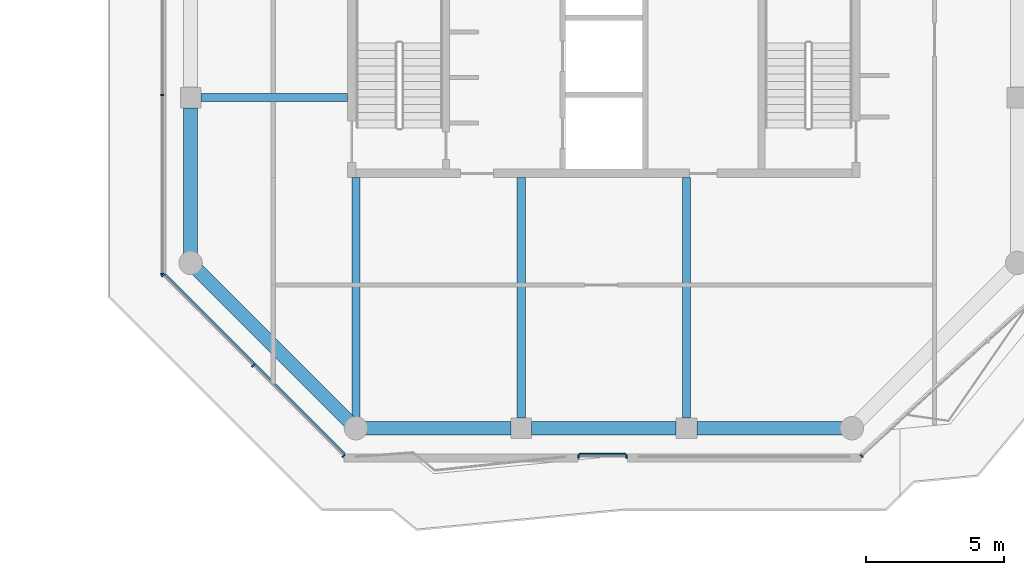
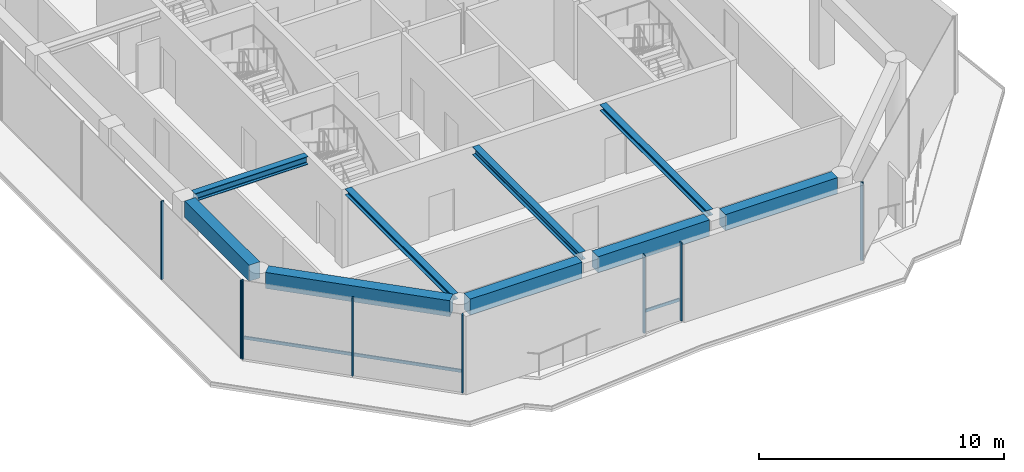
# One storey, part 2 of 22: 10 members, 9 beams, 4 elements without a shape of their own.
"""IFC4 building model written with IfcOpenShell, lengths in metres."""

from ifc_helpers import new_model, si_unit, direction, frame, origin, origin_2d, place, context, subcontext, project, spatial, rectangle, i_section, extrude, material, layer, layer_set, material_profile, profile_set, type_object, element, aggregate, save


model = new_model("IFC4")

# Units and contexts
model_context = context("Model", 3, precision=1e-05, world=origin(), true_north=direction((0.0, 1.0)))
body_context = subcontext(model_context, "Body", "Model", "MODEL_VIEW")
ifc_project = project(units=[si_unit("LENGTHUNIT", "METRE"), si_unit("AREAUNIT", "SQUARE_METRE"), si_unit("VOLUMEUNIT", "CUBIC_METRE"), si_unit("PLANEANGLEUNIT", "RADIAN"), si_unit("MASSUNIT", "GRAM", prefix="KILO")], contexts=[model_context])

# Site, building, storey
site_placement = place(None, origin())
site = spatial("IfcSite", under=ifc_project, at=site_placement, CompositionType="ELEMENT")
building_placement = place(site_placement, origin())
building = spatial("IfcBuilding", under=site, at=building_placement, Name="Welwitschia Terrace Campus", CompositionType="ELEMENT")
storey_placement = place(building_placement, frame((0.0, 0.0, 310.39990234375)))
storey = spatial("IfcBuildingStorey", under=building, at=storey_placement, Name="L69", CompositionType="ELEMENT", Elevation=310.39990234375)

# Beams
ifc_material_1 = material(Name="Steel S355", Category="steel")
ifc_material_profile_1 = material_profile(ifc_material_1, i_section(OverallWidth=0.300048828125, OverallDepth=0.300048828125, WebThickness=0.010986328125, FlangeThickness=0.01904296875, FilletRadius=0.027099609375, at=origin_2d()))
ifc_profile_set_1 = profile_set([ifc_material_profile_1], Name="Steel S355")
beam_type_1 = type_object("IfcBeamType", Name="Interior girder HE 300 B", PredefinedType="BEAM", material=ifc_profile_set_1)
beam_1_placement = place(storey_placement, frame((6.0, -3.611572265625, 3.75), z_axis=(0.0, 1.0, 0.0), x_axis=(-1.0, 0.0, 0.0)))
element("IfcBeam", 1, at=beam_1_placement, inside=storey, type_object=beam_type_1, Name="Girder GB6", PredefinedType="BEAM", context=body_context, shape_type="SweptSolid", body=[
    extrude(i_section(OverallWidth=0.300048828125, OverallDepth=0.300048828125, WebThickness=0.010986328125, FlangeThickness=0.01904296875, FilletRadius=0.027099609375, at=origin_2d()), origin(), (0.0, 0.0, 1.0), 8.710693359375),
])
beam_2_placement = place(storey_placement, frame((18.0, -3.634521484375, 3.75), z_axis=(0.0, 1.0, 0.0), x_axis=(-1.0, 0.0, 0.0)))
element("IfcBeam", 2, at=beam_2_placement, inside=storey, type_object=beam_type_1, Name="Girder GB6", PredefinedType="BEAM", context=body_context, shape_type="SweptSolid", body=[
    extrude(i_section(OverallWidth=0.300048828125, OverallDepth=0.300048828125, WebThickness=0.010986328125, FlangeThickness=0.01904296875, FilletRadius=0.027099609375, at=origin_2d()), origin(), (0.0, 0.0, 1.0), 8.733642578125),
])

# Curtain wall, members
ifc_material_2 = material(Name="Bronze anodised aluminium", Category="aluminium")
ifc_layer = layer(ifc_material_2, 0.1201171875)
ifc_layer_set = layer_set([ifc_layer], Name="Bronze anodised aluminium")
curtain_wall_type = type_object("IfcCurtainWallType", Name="Curtain wall CW2 tower 6000", PredefinedType="NOTDEFINED", material=ifc_layer_set)
curtain_wall_1_placement = place(storey_placement, origin())
curtain_wall_1 = element("IfcCurtainWall", 3, at=curtain_wall_1_placement, inside=storey, type_object=curtain_wall_type, Name="CW L69.0.0", PredefinedType="NOTDEFINED")
ifc_material_3 = material(Name="Bronze anodised aluminium", Category="aluminium")
ifc_material_profile_2 = material_profile(ifc_material_3, rectangle(XDim=0.1201171875, YDim=0.06005859375, at=origin_2d()))
ifc_profile_set_2 = profile_set([ifc_material_profile_2], Name="Bronze anodised aluminium")
member_type_1 = type_object("IfcMemberType", Name="Mullion 60x120", PredefinedType="MULLION", material=ifc_profile_set_2)
member_1_placement = place(storey_placement, frame((-1.030029296875, 8.096923828125, 0.0), z_axis=(0.0, 0.0, 1.0), x_axis=(1.0, 0.0, 0.0)))
member_1 = element("IfcMember", 4, at=member_1_placement, type_object=member_type_1, Name="Mullion L69.0.0.3", PredefinedType="MULLION", context=body_context, shape_type="SweptSolid", body=[
    extrude(rectangle(XDim=0.1201171875, YDim=0.06005859375, at=origin_2d()), origin(), (0.0, 0.0, 1.0), 3.900146484375),
])
member_2_placement = place(storey_placement, frame((-1.030029296875, 1.603271484375, 0.0), z_axis=(0.0, 0.0, 1.0), x_axis=(1.0, 0.0, 0.0)))
member_2 = element("IfcMember", 5, at=member_2_placement, type_object=member_type_1, Name="Mullion L69.0.0.4", PredefinedType="MULLION", context=body_context, shape_type="SweptSolid", body=[
    extrude(rectangle(XDim=0.1201171875, YDim=0.06005859375, at=origin_2d()), origin(), (0.0, 0.0, 1.0), 3.900146484375),
])
aggregate(curtain_wall_1, [member_1, member_2])

curtain_wall_2_placement = place(storey_placement, origin())
curtain_wall_2 = element("IfcCurtainWall", 6, at=curtain_wall_2_placement, inside=storey, type_object=curtain_wall_type, Name="CW L69.1.0", PredefinedType="NOTDEFINED")
member_3_placement = place(storey_placement, frame((-1.0087890625, 1.55224609375, 0.0), z_axis=(0.0, 0.0, 1.0), x_axis=(0.707106781187, 0.707106781187, 0.0)))
member_3 = element("IfcMember", 7, at=member_3_placement, type_object=member_type_1, Name="Mullion L69.1.0.0", PredefinedType="MULLION", context=body_context, shape_type="SweptSolid", body=[
    extrude(rectangle(XDim=0.1201171875, YDim=0.06005859375, at=origin_2d()), origin(), (0.0, 0.0, 1.0), 3.900146484375),
])
member_4_placement = place(storey_placement, frame((2.271728515625, -1.728271484375, 0.0), z_axis=(0.0, 0.0, 1.0), x_axis=(0.707106781187, 0.707106781187, 0.0)))
member_4 = element("IfcMember", 8, at=member_4_placement, type_object=member_type_1, Name="Mullion L69.1.0.1", PredefinedType="MULLION", context=body_context, shape_type="SweptSolid", body=[
    extrude(rectangle(XDim=0.1201171875, YDim=0.06005859375, at=origin_2d()), origin(), (0.0, 0.0, 1.0), 3.900146484375),
])
member_5_placement = place(storey_placement, frame((5.55224609375, -5.0087890625, 0.0), z_axis=(0.0, 0.0, 1.0), x_axis=(0.707106781187, 0.707106781187, 0.0)))
member_5 = element("IfcMember", 9, at=member_5_placement, type_object=member_type_1, Name="Mullion L69.1.0.2", PredefinedType="MULLION", context=body_context, shape_type="SweptSolid", body=[
    extrude(rectangle(XDim=0.1201171875, YDim=0.06005859375, at=origin_2d()), origin(), (0.0, 0.0, 1.0), 3.900146484375),
])

curtain_wall_3_placement = place(storey_placement, origin())
curtain_wall_3 = element("IfcCurtainWall", 10, at=curtain_wall_3_placement, inside=storey, type_object=curtain_wall_type, Name="CW L69.2.S0", PredefinedType="NOTDEFINED")
member_6_placement = place(storey_placement, frame((14.08349609375, -5.030029296875, 0.0), z_axis=(0.0, 0.0, 1.0), x_axis=(0.0, 1.0, 0.0)))
member_6 = element("IfcMember", 11, at=member_6_placement, type_object=member_type_1, Name="Mullion L69.2.S0.0", PredefinedType="MULLION", context=body_context, shape_type="SweptSolid", body=[
    extrude(rectangle(XDim=0.1201171875, YDim=0.06005859375, at=origin_2d()), origin(), (0.0, 0.0, 1.0), 3.900146484375),
])
member_7_placement = place(storey_placement, frame((15.823486328125, -5.030029296875, 0.0), z_axis=(0.0, 0.0, 1.0), x_axis=(0.0, 1.0, 0.0)))
member_7 = element("IfcMember", 12, at=member_7_placement, type_object=member_type_1, Name="Mullion L69.2.S0.1", PredefinedType="MULLION", context=body_context, shape_type="SweptSolid", body=[
    extrude(rectangle(XDim=0.1201171875, YDim=0.06005859375, at=origin_2d()), origin(), (0.0, 0.0, 1.0), 3.900146484375),
])

# Curtain wall, member
curtain_wall_4_placement = place(storey_placement, origin())
curtain_wall_4 = element("IfcCurtainWall", 13, at=curtain_wall_4_placement, inside=storey, type_object=curtain_wall_type, Name="CW L69.3.0", PredefinedType="NOTDEFINED")
member_8_placement = place(storey_placement, frame((24.355712890625, -5.009765625, 0.0), z_axis=(0.0, 0.0, 1.0), x_axis=(-0.673062173385, 0.739585904921, 0.0)))
member_8 = element("IfcMember", 14, at=member_8_placement, type_object=member_type_1, Name="Mullion L69.3.0.0", PredefinedType="MULLION", context=body_context, shape_type="SweptSolid", body=[
    extrude(rectangle(XDim=0.1201171875, YDim=0.06005859375, at=origin_2d()), origin(), (0.0, 0.0, 1.0), 3.900146484375),
])
aggregate(curtain_wall_4, [member_8])

# Beams
ifc_material_4 = material(Name="Steel S355", Category="steel")
ifc_material_profile_3 = material_profile(ifc_material_4, i_section(OverallWidth=0.300048828125, OverallDepth=0.39990234375, WebThickness=0.013427734375, FlangeThickness=0.02392578125, FilletRadius=0.027099609375, at=origin_2d()))
ifc_profile_set_3 = profile_set([ifc_material_profile_3], Name="Steel S355")
beam_type_2 = type_object("IfcBeamType", Name="Primary beam HE 400 B", PredefinedType="BEAM", material=ifc_profile_set_3)
beam_3_placement = place(storey_placement, frame((12.0, -3.62451171875, 3.7001953125), z_axis=(0.0, 1.0, 0.0), x_axis=(-1.0, 0.0, 0.0)))
element("IfcBeam", 15, at=beam_3_placement, inside=storey, type_object=beam_type_2, Name="Primary beam PB6", PredefinedType="BEAM", context=body_context, shape_type="SweptSolid", body=[
    extrude(i_section(OverallWidth=0.300048828125, OverallDepth=0.39990234375, WebThickness=0.013427734375, FlangeThickness=0.02392578125, FilletRadius=0.027099609375, at=origin_2d()), origin(), (0.0, 0.0, 1.0), 8.724609375),
])
beam_4_placement = place(storey_placement, frame((0.37548828125, 8.0, 3.7001953125), z_axis=(1.0, 0.0, 0.0), x_axis=(0.0, 1.0, 0.0)))
element("IfcBeam", 16, at=beam_4_placement, inside=storey, type_object=beam_type_2, Name="Primary beam PB6", PredefinedType="BEAM", context=body_context, shape_type="SweptSolid", body=[
    extrude(i_section(OverallWidth=0.300048828125, OverallDepth=0.39990234375, WebThickness=0.013427734375, FlangeThickness=0.02392578125, FilletRadius=0.027099609375, at=origin_2d()), origin(), (0.0, 0.0, 1.0), 5.324462890625),
])
ifc_material_5 = material(Name="Concrete C50/60", Category="concrete")
ifc_material_profile_4 = material_profile(ifc_material_5, rectangle(XDim=0.5, YDim=0.800048828125, at=origin_2d()))
ifc_profile_set_4 = profile_set([ifc_material_profile_4], Name="Concrete C50/60")
beam_type_3 = type_object("IfcBeamType", Name="Ring spandrel 500x800", PredefinedType="SPANDREL", material=ifc_profile_set_4)
beam_5_placement = place(storey_placement, frame((0.24365234375, 1.75634765625, 3.5), z_axis=(0.707106781187, -0.707106781187, 0.0), x_axis=(0.707106781187, 0.707106781187, 0.0)))
element("IfcBeam", 17, at=beam_5_placement, inside=storey, type_object=beam_type_3, Name="Spandrel SP4", PredefinedType="SPANDREL", context=body_context, shape_type="SweptSolid", body=[
    extrude(rectangle(XDim=0.5, YDim=0.800048828125, at=origin_2d()), origin(), (0.0, 0.0, 1.0), 7.796142578125),
])
beam_6_placement = place(storey_placement, frame((6.344482421875, -4.0, 3.5), z_axis=(1.0, 0.0, 0.0), x_axis=(0.0, 1.0, 0.0)))
element("IfcBeam", 18, at=beam_6_placement, inside=storey, type_object=beam_type_3, Name="Spandrel SP4", PredefinedType="SPANDREL", context=body_context, shape_type="SweptSolid", body=[
    extrude(rectangle(XDim=0.5, YDim=0.800048828125, at=origin_2d()), origin(), (0.0, 0.0, 1.0), 5.280029296875),
])
beam_7_placement = place(storey_placement, frame((12.37548828125, -4.0, 3.5), z_axis=(1.0, 0.0, 0.0), x_axis=(0.0, 1.0, 0.0)))
element("IfcBeam", 19, at=beam_7_placement, inside=storey, type_object=beam_type_3, Name="Spandrel SP4", PredefinedType="SPANDREL", context=body_context, shape_type="SweptSolid", body=[
    extrude(rectangle(XDim=0.5, YDim=0.800048828125, at=origin_2d()), origin(), (0.0, 0.0, 1.0), 5.2490234375),
])
for number, where, z_axis, x_axis, name in (
    (20, (18.37548828125, -4.0, 3.5), (1.0, 0.0, 0.0), (0.0, 1.0, 0.0), "Spandrel SP4"),
    (21, (0.0, 7.62451171875, 3.5), (0.0, -1.0, 0.0), (1.0, 0.0, 0.0), "Spandrel SP4"),
):
    element("IfcBeam", number, at=place(storey_placement, frame(where, z_axis=z_axis, x_axis=x_axis)), inside=storey, type_object=beam_type_3, Name=name, PredefinedType="SPANDREL", context=body_context, shape_type="SweptSolid", body=[
        extrude(rectangle(XDim=0.5, YDim=0.800048828125, at=origin_2d()), origin(), (0.0, 0.0, 1.0), 5.280029296875),
    ])

# Member
ifc_material_6 = material(Name="Bronze anodised aluminium", Category="aluminium")
ifc_material_profile_5 = material_profile(ifc_material_6, rectangle(XDim=0.06005859375, YDim=0.14990234375, at=origin_2d()))
ifc_profile_set_5 = profile_set([ifc_material_profile_5], Name="Bronze anodised aluminium")
member_type_2 = type_object("IfcMemberType", Name="Transom 60x150", PredefinedType="USERDEFINED", material=ifc_profile_set_5)
member_9_placement = place(storey_placement, frame((-0.923828125, 1.594482421875, 1.0), z_axis=(0.707106781187, -0.707106781187, 0.0), x_axis=(0.707106781187, 0.707106781187, 0.0)))
member_9 = element("IfcMember", 22, at=member_9_placement, type_object=member_type_2, Name="Transom L69.1.0", ObjectType="TRANSOM", PredefinedType="USERDEFINED", context=body_context, shape_type="SweptSolid", body=[
    extrude(rectangle(XDim=0.06005859375, YDim=0.14990234375, at=origin_2d()), origin(), (0.0, 0.0, 1.0), 9.21826171875),
])

aggregate(curtain_wall_2, [member_3, member_4, member_5, member_9])

member_10_placement = place(storey_placement, frame((14.113525390625, -4.93994140625, 1.0), z_axis=(1.0, 0.0, 0.0), x_axis=(0.0, 1.0, 0.0)))
member_10 = element("IfcMember", 23, at=member_10_placement, type_object=member_type_2, Name="Transom L69.2.S0", ObjectType="TRANSOM", PredefinedType="USERDEFINED", context=body_context, shape_type="SweptSolid", body=[
    extrude(rectangle(XDim=0.06005859375, YDim=0.14990234375, at=origin_2d()), origin(), (0.0, 0.0, 1.0), 1.679931640625),
])

aggregate(curtain_wall_3, [member_6, member_7, member_10])

save(model, "model.ifc")
